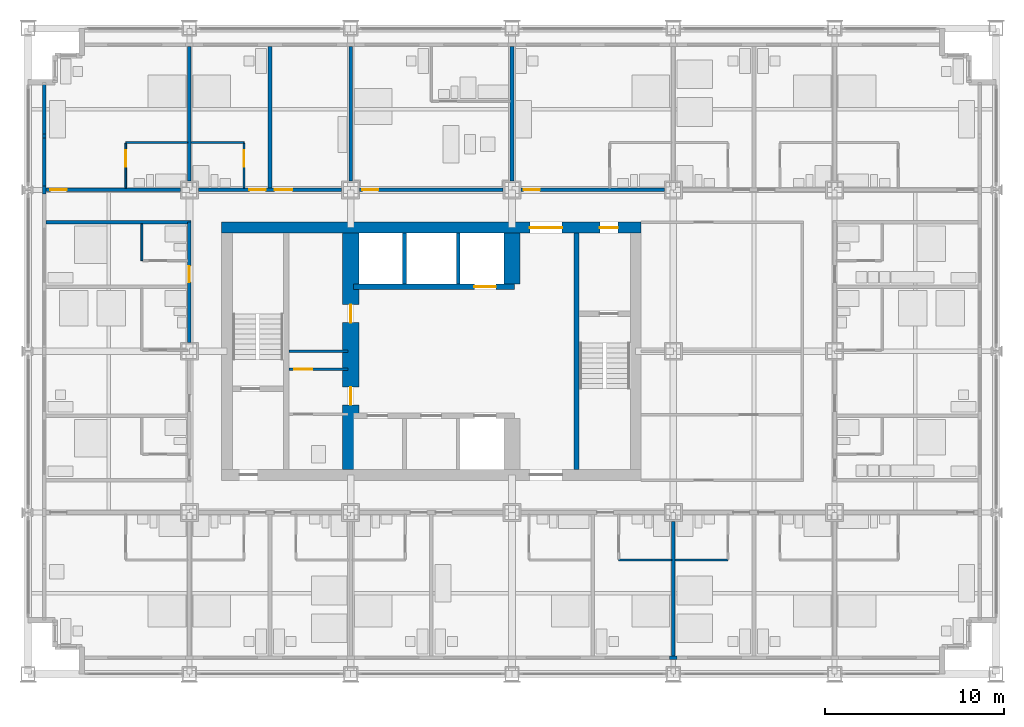
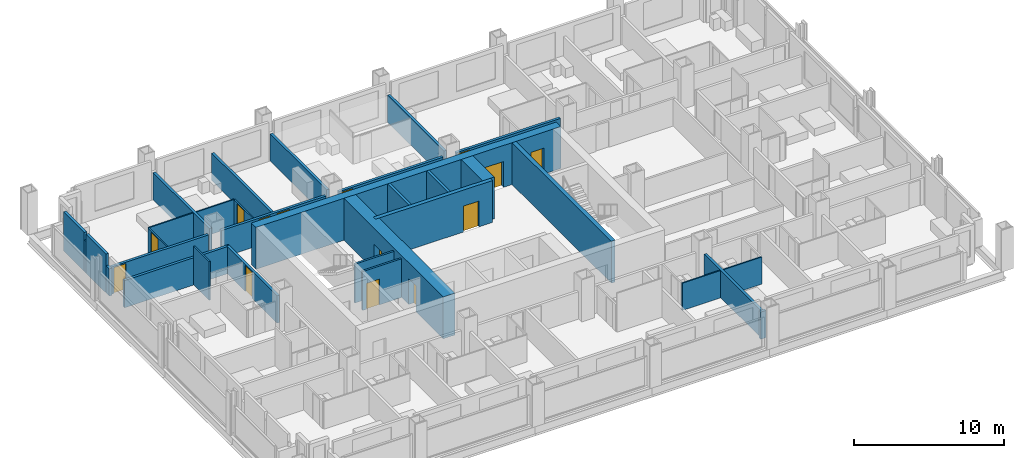
# One storey, part 12 of 19: 32 walls, 14 doors, 14 openings.
"""IFC4 building model written with IfcOpenShell, lengths in metres."""

from ifc_helpers import new_model, si_unit, direction, frame, frame_2d, origin, place, context, subcontext, project, spatial, rectangle, extrude, material, layer, layer_set, type_object, element, fill, save


model = new_model("IFC4")

# Units and contexts
model_context = context("Model", 3, precision=1e-05, world=origin(), true_north=direction((0.0, 1.0)))
body_context = subcontext(model_context, "Body", "Model", "MODEL_VIEW")
ifc_project = project(units=[si_unit("LENGTHUNIT", "METRE"), si_unit("AREAUNIT", "SQUARE_METRE"), si_unit("VOLUMEUNIT", "CUBIC_METRE"), si_unit("PLANEANGLEUNIT", "RADIAN"), si_unit("MASSUNIT", "GRAM", prefix="KILO")], contexts=[model_context])

# Site, building, storey
site_placement = place(None, origin())
site = spatial("IfcSite", under=ifc_project, at=site_placement, CompositionType="ELEMENT")
building_placement = place(site_placement, origin())
building = spatial("IfcBuilding", under=site, at=building_placement, Name="Loomwork Tower", CompositionType="ELEMENT")
storey_placement = place(building_placement, frame((0.0, 0.0, 85.800048828125)))
storey = spatial("IfcBuildingStorey", under=building, at=storey_placement, Name="L22", CompositionType="ELEMENT", Elevation=85.800048828125)

# Wall, opening, door
ifc_material_1 = material(Name="Concrete 14000 psi (97 MPa)", Category="concrete")
ifc_layer_1 = layer(ifc_material_1, 0.300048828125)
ifc_layer_set_1 = layer_set([ifc_layer_1], Name="Core shear wall 300")
wall_type_1 = type_object("IfcWallType", Name="Core shear wall 300", PredefinedType="SHEAR", material=ifc_layer_set_1)
wall_1_placement = place(storey_placement, frame((18.14990234375, 21.60009765625, 0.0), z_axis=(0.0, 0.0, 1.0), x_axis=(1.0, 0.0, 0.0)))
wall_1 = element("IfcWall", 1, at=wall_1_placement, inside=storey, type_object=wall_type_1, Name="Lift front wall north L22", PredefinedType="SHEAR", context=body_context, shape_type="SweptSolid", body=[
    extrude(rectangle(XDim=9.0, YDim=0.300048828125, at=frame_2d((4.5, 0.0))), origin(), (0.0, 0.0, 1.0), 3.39990234375),
])
opening_1_placement = place(wall_1_placement, frame((6.75, 0.0, 0.0)))
opening_1 = element("IfcOpeningElement", 2, at=opening_1_placement, cuts=wall_1, Name="Opening LD2", PredefinedType="OPENING", context=body_context, shape_type="SweptSolid", body=[
    extrude(rectangle(XDim=1.199951171875, YDim=2.10009765625, at=frame_2d((0.60009765625, 1.050048828125))), frame((0.0, 0.159912109375, 0.0), z_axis=(0.0, -1.0, 0.0), x_axis=(1.0, 0.0, 0.0)), (0.0, 0.0, 1.0), 0.320068359375),
])
ifc_material_2 = material(Name="Hollow metal door and frame")
door_type_1 = type_object("IfcDoorType", Name="Lift landing door 1200", OperationType="SLIDING_TO_LEFT", PredefinedType="DOOR", material=ifc_material_2)
door_1_placement = place(opening_1_placement, origin())
door_1 = element("IfcDoor", 3, at=door_1_placement, inside=storey, type_object=door_type_1, Name="Lift landing door LF2", OperationType="SLIDING_TO_LEFT", OverallHeight=2.10009765625, OverallWidth=1.199951171875, PredefinedType="DOOR", context=body_context, shape_type="SweptSolid", body=[
    extrude(rectangle(XDim=1.199951171875, YDim=2.10009765625, at=frame_2d((0.60009765625, 1.050048828125))), frame((0.0, 0.02490234375, 0.0), z_axis=(0.0, -1.0, 0.0), x_axis=(1.0, 0.0, 0.0)), (0.0, 0.0, 1.0), 0.050048828125),
])
fill(opening_1, door_1)

# Wall
wall_2_placement = place(storey_placement, frame((30.60009765625, 11.39990234375, 0.0), z_axis=(0.0, 0.0, 1.0), x_axis=(0.0, 1.0, 0.0)))
element("IfcWall", 4, at=wall_2_placement, inside=storey, type_object=wall_type_1, Name="Stair B west wall L22", PredefinedType="SHEAR", context=body_context, shape_type="SweptSolid", body=[
    extrude(rectangle(XDim=13.2001953125, YDim=0.300048828125, at=frame_2d((6.60009765625, 0.0))), origin(), (0.0, 0.0, 1.0), 3.39990234375),
])

# Wall, openings, doors
ifc_material_3 = material(Name="Concrete 14000 psi (97 MPa)", Category="concrete")
ifc_layer_2 = layer(ifc_material_3, 0.60009765625)
ifc_layer_set_2 = layer_set([ifc_layer_2], Name="Core shear wall 600")
wall_type_2 = type_object("IfcWallType", Name="Core shear wall 600", PredefinedType="SHEAR", material=ifc_layer_set_2)
wall_3_placement = place(storey_placement, frame((10.800048828125, 24.89990234375, 0.0), z_axis=(0.0, 0.0, 1.0), x_axis=(1.0, 0.0, 0.0)))
wall_3 = element("IfcWall", 5, at=wall_3_placement, inside=storey, type_object=wall_type_2, Name="Core wall north L22", PredefinedType="SHEAR", context=body_context, shape_type="SweptSolid", body=[
    extrude(rectangle(XDim=23.39990234375, YDim=0.60009765625, at=frame_2d((11.699951171875, 0.0))), origin(), (0.0, 0.0, 1.0), 3.39990234375),
])
opening_2_placement = place(wall_3_placement, frame((17.199951171875, 0.0, 0.0)))
opening_2 = element("IfcOpeningElement", 6, at=opening_2_placement, cuts=wall_3, Name="Opening D6", PredefinedType="OPENING", context=body_context, shape_type="SweptSolid", body=[
    extrude(rectangle(XDim=1.800048828125, YDim=2.10009765625, at=frame_2d((0.89990234375, 1.050048828125))), frame((0.0, 0.31005859375, 0.0), z_axis=(0.0, -1.0, 0.0), x_axis=(1.0, 0.0, 0.0)), (0.0, 0.0, 1.0), 0.6201171875),
])
opening_3_placement = place(wall_3_placement, frame((21.10009765625, 0.0, 0.0)))
opening_3 = element("IfcOpeningElement", 7, at=opening_3_placement, cuts=wall_3, Name="Opening D4", PredefinedType="OPENING", context=body_context, shape_type="SweptSolid", body=[
    extrude(rectangle(XDim=1.0, YDim=2.10009765625, at=frame_2d((0.5, 1.050048828125))), frame((0.0, 0.31005859375, 0.0), z_axis=(0.0, -1.0, 0.0), x_axis=(1.0, 0.0, 0.0)), (0.0, 0.0, 1.0), 0.6201171875),
])
ifc_material_4 = material(Name="Hollow metal door and frame")
door_type_2 = type_object("IfcDoorType", Name="Lobby passage double door 1800", OperationType="DOUBLE_DOOR_SINGLE_SWING", PredefinedType="DOOR", material=ifc_material_4)
door_2_placement = place(opening_2_placement, frame((1.800048828125, 0.0, 0.0), z_axis=(0.0, 0.0, 1.0), x_axis=(-1.0, 0.0, 0.0)))
door_2 = element("IfcDoor", 8, at=door_2_placement, inside=storey, type_object=door_type_2, Name="Lobby passage door north", OperationType="DOUBLE_DOOR_SINGLE_SWING", OverallHeight=2.10009765625, OverallWidth=1.800048828125, PredefinedType="DOOR", context=body_context, shape_type="SweptSolid", body=[
    extrude(rectangle(XDim=1.800048828125, YDim=2.10009765625, at=frame_2d((0.89990234375, 1.050048828125))), frame((0.0, 0.02490234375, 0.0), z_axis=(0.0, -1.0, 0.0), x_axis=(1.0, 0.0, 0.0)), (0.0, 0.0, 1.0), 0.050048828125),
])
fill(opening_2, door_2)
ifc_material_5 = material(Name="Hollow metal door and frame")
door_type_3 = type_object("IfcDoorType", Name="Stair door 1000", OperationType="SINGLE_SWING_RIGHT", PredefinedType="DOOR", material=ifc_material_5)
door_3_placement = place(opening_3_placement, frame((1.0, 0.0, 0.0), z_axis=(0.0, 0.0, 1.0), x_axis=(-1.0, 0.0, 0.0)))
door_3 = element("IfcDoor", 9, at=door_3_placement, inside=storey, type_object=door_type_3, Name="Stair B vestibule door", OperationType="SINGLE_SWING_LEFT", OverallHeight=2.10009765625, OverallWidth=1.0, PredefinedType="DOOR", context=body_context, shape_type="SweptSolid", body=[
    extrude(rectangle(XDim=1.0, YDim=2.10009765625, at=frame_2d((0.5, 1.050048828125))), frame((0.0, 0.02490234375, 0.0), z_axis=(0.0, -1.0, 0.0), x_axis=(1.0, 0.0, 0.0)), (0.0, 0.0, 1.0), 0.050048828125),
])
fill(opening_3, door_3)

ifc_material_6 = material(Name="Concrete 14000 psi (97 MPa)", Category="concrete")
ifc_layer_3 = layer(ifc_material_6, 0.89990234375)
ifc_layer_set_3 = layer_set([ifc_layer_3], Name="Core shear wall 900")
wall_type_3 = type_object("IfcWallType", Name="Core shear wall 900", PredefinedType="SHEAR", material=ifc_layer_set_3)
wall_4_placement = place(storey_placement, frame((18.0, 11.39990234375, 0.0), z_axis=(0.0, 0.0, 1.0), x_axis=(0.0, 1.0, 0.0)))
wall_4 = element("IfcWall", 10, at=wall_4_placement, inside=storey, type_object=wall_type_3, Name="Lobby west wall L22", PredefinedType="SHEAR", context=body_context, shape_type="SweptSolid", body=[
    extrude(rectangle(XDim=13.2001953125, YDim=0.89990234375, at=frame_2d((6.60009765625, 0.0))), origin(), (0.0, 0.0, 1.0), 3.39990234375),
])
opening_4_placement = place(wall_4_placement, frame((3.60009765625, 0.0, 0.0)))
opening_4 = element("IfcOpeningElement", 11, at=opening_4_placement, cuts=wall_4, Name="Opening D5", PredefinedType="OPENING", context=body_context, shape_type="SweptSolid", body=[
    extrude(rectangle(XDim=1.0, YDim=2.10009765625, at=frame_2d((0.5, 1.050048828125))), frame((0.0, 0.4599609375, 0.0), z_axis=(0.0, -1.0, 0.0), x_axis=(1.0, 0.0, 0.0)), (0.0, 0.0, 1.0), 0.919921875),
])
opening_5_placement = place(wall_4_placement, frame((8.199951171875, 0.0, 0.0)))
opening_5 = element("IfcOpeningElement", 12, at=opening_5_placement, cuts=wall_4, Name="Opening D5", PredefinedType="OPENING", context=body_context, shape_type="SweptSolid", body=[
    extrude(rectangle(XDim=1.0, YDim=2.10009765625, at=frame_2d((0.5, 1.050048828125))), frame((0.0, 0.4599609375, 0.0), z_axis=(0.0, -1.0, 0.0), x_axis=(1.0, 0.0, 0.0)), (0.0, 0.0, 1.0), 0.919921875),
])
ifc_material_7 = material(Name="Hollow metal door and frame")
door_type_4 = type_object("IfcDoorType", Name="Service door 1000", OperationType="SINGLE_SWING_LEFT", PredefinedType="DOOR", material=ifc_material_7)
door_4_placement = place(opening_4_placement, origin())
door_4 = element("IfcDoor", 13, at=door_4_placement, inside=storey, type_object=door_type_4, Name="Back-of-house door south", OperationType="SINGLE_SWING_LEFT", OverallHeight=2.10009765625, OverallWidth=1.0, PredefinedType="DOOR", context=body_context, shape_type="SweptSolid", body=[
    extrude(rectangle(XDim=1.0, YDim=2.10009765625, at=frame_2d((0.5, 1.050048828125))), frame((0.0, 0.02490234375, 0.0), z_axis=(0.0, -1.0, 0.0), x_axis=(1.0, 0.0, 0.0)), (0.0, 0.0, 1.0), 0.050048828125),
])
fill(opening_4, door_4)
door_5_placement = place(opening_5_placement, origin())
door_5 = element("IfcDoor", 14, at=door_5_placement, inside=storey, type_object=door_type_4, Name="Back-of-house door north", OperationType="SINGLE_SWING_RIGHT", OverallHeight=2.10009765625, OverallWidth=1.0, PredefinedType="DOOR", context=body_context, shape_type="SweptSolid", body=[
    extrude(rectangle(XDim=1.0, YDim=2.10009765625, at=frame_2d((0.5, 1.050048828125))), frame((0.0, 0.02490234375, 0.0), z_axis=(0.0, -1.0, 0.0), x_axis=(1.0, 0.0, 0.0)), (0.0, 0.0, 1.0), 0.050048828125),
])
fill(opening_5, door_5)

# Wall
wall_5_placement = place(storey_placement, frame((27.0, 21.75, 0.0), z_axis=(0.0, 0.0, 1.0), x_axis=(0.0, 1.0, 0.0)))
element("IfcWall", 15, at=wall_5_placement, inside=storey, type_object=wall_type_3, Name="Lift shaft end wall north L22", PredefinedType="SHEAR", context=body_context, shape_type="SweptSolid", body=[
    extrude(rectangle(XDim=2.85009765625, YDim=0.89990234375, at=frame_2d((1.425048828125, 0.0))), origin(), (0.0, 0.0, 1.0), 3.39990234375),
])

# Wall, opening, door
ifc_material_8 = material(Name="Gypsum board on steel studs, one-hour", Category="steel")
ifc_layer_4 = layer(ifc_material_8, 0.199951171875)
ifc_layer_set_4 = layer_set([ifc_layer_4], Name="Corridor wall 200")
wall_type_4 = type_object("IfcWallType", Name="Corridor wall 200", PredefinedType="PARTITIONING", material=ifc_layer_set_4)
wall_6_placement = place(storey_placement, frame((1.0, 27.0, 0.0), z_axis=(0.0, 0.0, 1.0), x_axis=(1.0, 0.0, 0.0)))
wall_6 = element("IfcWall", 16, at=wall_6_placement, inside=storey, type_object=wall_type_4, Name="North corridor wall 1", PredefinedType="PARTITIONING", context=body_context, shape_type="SweptSolid", body=[
    extrude(rectangle(XDim=7.5, YDim=0.199951171875, at=frame_2d((3.75, 0.0))), origin(), (0.0, 0.0, 1.0), 2.210205078125),
])
opening_6_placement = place(wall_6_placement, frame((0.25, 0.0, 0.0)))
opening_6 = element("IfcOpeningElement", 17, at=opening_6_placement, cuts=wall_6, Name="Opening D1", PredefinedType="OPENING", context=body_context, shape_type="SweptSolid", body=[
    extrude(rectangle(XDim=0.89990234375, YDim=2.10009765625, at=frame_2d((0.449951171875, 1.050048828125))), frame((0.0, 0.10986328125, 0.0), z_axis=(0.0, -1.0, 0.0), x_axis=(1.0, 0.0, 0.0)), (0.0, 0.0, 1.0), 0.219970703125),
])
ifc_material_9 = material(Name="Hollow metal door and frame")
door_type_5 = type_object("IfcDoorType", Name="Guest room entry door 900", OperationType="SINGLE_SWING_LEFT", PredefinedType="DOOR", material=ifc_material_9)
door_6_placement = place(opening_6_placement, origin())
door_6 = element("IfcDoor", 18, at=door_6_placement, inside=storey, type_object=door_type_5, Name="Guest room entry door L22 10", OperationType="SINGLE_SWING_LEFT", OverallHeight=2.10009765625, OverallWidth=0.89990234375, PredefinedType="DOOR", context=body_context, shape_type="SweptSolid", body=[
    extrude(rectangle(XDim=0.89990234375, YDim=2.10009765625, at=frame_2d((0.449951171875, 1.050048828125))), frame((0.0, 0.02490234375, 0.0), z_axis=(0.0, -1.0, 0.0), x_axis=(1.0, 0.0, 0.0)), (0.0, 0.0, 1.0), 0.050048828125),
])
fill(opening_6, door_6)

# Wall, openings, doors
wall_7_placement = place(storey_placement, frame((9.5, 27.0, 0.0), z_axis=(0.0, 0.0, 1.0), x_axis=(1.0, 0.0, 0.0)))
wall_7 = element("IfcWall", 19, at=wall_7_placement, inside=storey, type_object=wall_type_4, Name="North corridor wall 2", PredefinedType="PARTITIONING", context=body_context, shape_type="SweptSolid", body=[
    extrude(rectangle(XDim=8.0, YDim=0.199951171875, at=frame_2d((4.0, 0.0))), origin(), (0.0, 0.0, 1.0), 2.210205078125),
])
opening_7_placement = place(wall_7_placement, frame((2.85009765625, 0.0, 0.0)))
opening_7 = element("IfcOpeningElement", 20, at=opening_7_placement, cuts=wall_7, Name="Opening D1", PredefinedType="OPENING", context=body_context, shape_type="SweptSolid", body=[
    extrude(rectangle(XDim=0.89990234375, YDim=2.10009765625, at=frame_2d((0.449951171875, 1.050048828125))), frame((0.0, 0.10986328125, 0.0), z_axis=(0.0, -1.0, 0.0), x_axis=(1.0, 0.0, 0.0)), (0.0, 0.0, 1.0), 0.219970703125),
])
opening_8_placement = place(wall_7_placement, frame((4.25, 0.0, 0.0)))
opening_8 = element("IfcOpeningElement", 21, at=opening_8_placement, cuts=wall_7, Name="Opening D15", PredefinedType="OPENING", context=body_context, shape_type="SweptSolid", body=[
    extrude(rectangle(XDim=1.0, YDim=2.10009765625, at=frame_2d((0.5, 1.050048828125))), frame((0.0, 0.10986328125, 0.0), z_axis=(0.0, -1.0, 0.0), x_axis=(1.0, 0.0, 0.0)), (0.0, 0.0, 1.0), 0.219970703125),
])
ifc_material_10 = material(Name="Hollow metal door and frame")
door_type_6 = type_object("IfcDoorType", Name="Fire-rated room door 1000", OperationType="SINGLE_SWING_LEFT", PredefinedType="DOOR", material=ifc_material_10)
door_7_placement = place(opening_8_placement, origin())
door_7 = element("IfcDoor", 22, at=door_7_placement, inside=storey, type_object=door_type_6, Name="Housekeeping pantry door L22 12", OperationType="SINGLE_SWING_LEFT", OverallHeight=2.10009765625, OverallWidth=1.0, PredefinedType="DOOR", context=body_context, shape_type="SweptSolid", body=[
    extrude(rectangle(XDim=1.0, YDim=2.10009765625, at=frame_2d((0.5, 1.050048828125))), frame((0.0, 0.02490234375, 0.0), z_axis=(0.0, -1.0, 0.0), x_axis=(1.0, 0.0, 0.0)), (0.0, 0.0, 1.0), 0.050048828125),
])
fill(opening_8, door_7)
door_8_placement = place(opening_7_placement, origin())
door_8 = element("IfcDoor", 23, at=door_8_placement, inside=storey, type_object=door_type_5, Name="Guest room entry door L22 11", OperationType="SINGLE_SWING_RIGHT", OverallHeight=2.10009765625, OverallWidth=0.89990234375, PredefinedType="DOOR", context=body_context, shape_type="SweptSolid", body=[
    extrude(rectangle(XDim=0.89990234375, YDim=2.10009765625, at=frame_2d((0.449951171875, 1.050048828125))), frame((0.0, 0.02490234375, 0.0), z_axis=(0.0, -1.0, 0.0), x_axis=(1.0, 0.0, 0.0)), (0.0, 0.0, 1.0), 0.050048828125),
])
fill(opening_7, door_8)

# Wall, opening, door
wall_8_placement = place(storey_placement, frame((18.5, 27.0, 0.0), z_axis=(0.0, 0.0, 1.0), x_axis=(1.0, 0.0, 0.0)))
wall_8 = element("IfcWall", 24, at=wall_8_placement, inside=storey, type_object=wall_type_4, Name="North corridor wall 3", PredefinedType="PARTITIONING", context=body_context, shape_type="SweptSolid", body=[
    extrude(rectangle(XDim=8.0, YDim=0.199951171875, at=frame_2d((4.0, 0.0))), origin(), (0.0, 0.0, 1.0), 2.210205078125),
])
opening_9_placement = place(wall_8_placement, frame((0.14990234375, 0.0, 0.0)))
opening_9 = element("IfcOpeningElement", 25, at=opening_9_placement, cuts=wall_8, Name="Opening D1", PredefinedType="OPENING", context=body_context, shape_type="SweptSolid", body=[
    extrude(rectangle(XDim=0.89990234375, YDim=2.10009765625, at=frame_2d((0.449951171875, 1.050048828125))), frame((0.0, 0.10986328125, 0.0), z_axis=(0.0, -1.0, 0.0), x_axis=(1.0, 0.0, 0.0)), (0.0, 0.0, 1.0), 0.219970703125),
])
door_9_placement = place(opening_9_placement, origin())
door_9 = element("IfcDoor", 26, at=door_9_placement, inside=storey, type_object=door_type_5, Name="Guest room entry door L22 13", OperationType="SINGLE_SWING_LEFT", OverallHeight=2.10009765625, OverallWidth=0.89990234375, PredefinedType="DOOR", context=body_context, shape_type="SweptSolid", body=[
    extrude(rectangle(XDim=0.89990234375, YDim=2.10009765625, at=frame_2d((0.449951171875, 1.050048828125))), frame((0.0, 0.02490234375, 0.0), z_axis=(0.0, -1.0, 0.0), x_axis=(1.0, 0.0, 0.0)), (0.0, 0.0, 1.0), 0.050048828125),
])
fill(opening_9, door_9)

wall_9_placement = place(storey_placement, frame((27.5, 27.0, 0.0), z_axis=(0.0, 0.0, 1.0), x_axis=(1.0, 0.0, 0.0)))
wall_9 = element("IfcWall", 27, at=wall_9_placement, inside=storey, type_object=wall_type_4, Name="North corridor wall 4", PredefinedType="PARTITIONING", context=body_context, shape_type="SweptSolid", body=[
    extrude(rectangle(XDim=8.0, YDim=0.199951171875, at=frame_2d((4.0, 0.0))), origin(), (0.0, 0.0, 1.0), 2.210205078125),
])
opening_10_placement = place(wall_9_placement, frame((0.14990234375, 0.0, 0.0)))
opening_10 = element("IfcOpeningElement", 28, at=opening_10_placement, cuts=wall_9, Name="Opening D1", PredefinedType="OPENING", context=body_context, shape_type="SweptSolid", body=[
    extrude(rectangle(XDim=0.89990234375, YDim=2.10009765625, at=frame_2d((0.449951171875, 1.050048828125))), frame((0.0, 0.10986328125, 0.0), z_axis=(0.0, -1.0, 0.0), x_axis=(1.0, 0.0, 0.0)), (0.0, 0.0, 1.0), 0.219970703125),
])
door_10_placement = place(opening_10_placement, origin())
door_10 = element("IfcDoor", 29, at=door_10_placement, inside=storey, type_object=door_type_5, Name="Guest room entry door L22 14", OperationType="SINGLE_SWING_LEFT", OverallHeight=2.10009765625, OverallWidth=0.89990234375, PredefinedType="DOOR", context=body_context, shape_type="SweptSolid", body=[
    extrude(rectangle(XDim=0.89990234375, YDim=2.10009765625, at=frame_2d((0.449951171875, 1.050048828125))), frame((0.0, 0.02490234375, 0.0), z_axis=(0.0, -1.0, 0.0), x_axis=(1.0, 0.0, 0.0)), (0.0, 0.0, 1.0), 0.050048828125),
])
fill(opening_10, door_10)

wall_10_placement = place(storey_placement, frame((9.0, 18.5, 0.0), z_axis=(0.0, 0.0, 1.0), x_axis=(0.0, 1.0, 0.0)))
wall_10 = element("IfcWall", 30, at=wall_10_placement, inside=storey, type_object=wall_type_4, Name="West corridor wall 2", PredefinedType="PARTITIONING", context=body_context, shape_type="SweptSolid", body=[
    extrude(rectangle(XDim=6.699951171875, YDim=0.199951171875, at=frame_2d((3.35009765625, 0.0))), origin(), (0.0, 0.0, 1.0), 2.210205078125),
])
opening_11_placement = place(wall_10_placement, frame((3.35009765625, 0.0, 0.0)))
opening_11 = element("IfcOpeningElement", 31, at=opening_11_placement, cuts=wall_10, Name="Opening D1", PredefinedType="OPENING", context=body_context, shape_type="SweptSolid", body=[
    extrude(rectangle(XDim=0.89990234375, YDim=2.10009765625, at=frame_2d((0.449951171875, 1.050048828125))), frame((0.0, 0.10986328125, 0.0), z_axis=(0.0, -1.0, 0.0), x_axis=(1.0, 0.0, 0.0)), (0.0, 0.0, 1.0), 0.219970703125),
])
door_11_placement = place(opening_11_placement, origin())
door_11 = element("IfcDoor", 32, at=door_11_placement, inside=storey, type_object=door_type_5, Name="Guest room entry door L22 20", OperationType="SINGLE_SWING_LEFT", OverallHeight=2.10009765625, OverallWidth=0.89990234375, PredefinedType="DOOR", context=body_context, shape_type="SweptSolid", body=[
    extrude(rectangle(XDim=0.89990234375, YDim=2.10009765625, at=frame_2d((0.449951171875, 1.050048828125))), frame((0.0, 0.02490234375, 0.0), z_axis=(0.0, -1.0, 0.0), x_axis=(1.0, 0.0, 0.0)), (0.0, 0.0, 1.0), 0.050048828125),
])
fill(opening_11, door_11)

# Walls
wall_11_placement = place(storey_placement, frame((1.0, 25.199951171875, 0.0), z_axis=(0.0, 0.0, 1.0), x_axis=(1.0, 0.0, 0.0)))
element("IfcWall", 33, at=wall_11_placement, inside=storey, type_object=wall_type_4, Name="West band end wall N", PredefinedType="PARTITIONING", context=body_context, shape_type="SweptSolid", body=[
    extrude(rectangle(XDim=8.10009765625, YDim=0.199951171875, at=frame_2d((4.050048828125, 0.0))), origin(), (0.0, 0.0, 1.0), 2.2099609375),
])
ifc_material_11 = material(Name="Cement board on steel studs", Category="steel")
ifc_layer_5 = layer(ifc_material_11, 0.10009765625)
ifc_layer_set_5 = layer_set([ifc_layer_5], Name="En-suite partition 100")
wall_type_5 = type_object("IfcWallType", Name="En-suite partition 100", PredefinedType="PARTITIONING", material=ifc_layer_set_5)
for number, where, z_axis, x_axis, name in (
    (34, (32.949951171875, 6.35009765625, 0.0), (0.0, 0.0, 1.0), (1.0, 0.0, 0.0), "En-suite wall L22 room 6"),
    (35, (36.10009765625, 6.35009765625, 0.0), (0.0, 0.0, 1.0), (1.0, 0.0, 0.0), "En-suite wall L22 room 7"),
):
    element("IfcWall", number, at=place(storey_placement, frame(where, z_axis=z_axis, x_axis=x_axis)), inside=storey, type_object=wall_type_5, Name=name, PredefinedType="PARTITIONING", context=body_context, shape_type="SweptSolid", body=[
        extrude(rectangle(XDim=2.949951171875, YDim=0.10009765625, at=frame_2d((1.47509765625, 0.0))), origin(), (0.0, 0.0, 1.0), 2.2099609375),
    ])
wall_12_placement = place(storey_placement, frame((5.449951171875, 29.64990234375, 0.0), z_axis=(0.0, 0.0, 1.0), x_axis=(1.0, 0.0, 0.0)))
element("IfcWall", 36, at=wall_12_placement, inside=storey, type_object=wall_type_5, Name="En-suite wall L22 room 10", PredefinedType="PARTITIONING", context=body_context, shape_type="SweptSolid", body=[
    extrude(rectangle(XDim=3.449951171875, YDim=0.10009765625, at=frame_2d((1.72509765625, 0.0))), origin(), (0.0, 0.0, 1.0), 2.2099609375),
])

# Wall, opening, door
wall_13_placement = place(storey_placement, frame((5.449951171875, 27.10009765625, 0.0), z_axis=(0.0, 0.0, 1.0), x_axis=(0.0, 1.0, 0.0)))
wall_13 = element("IfcWall", 37, at=wall_13_placement, inside=storey, type_object=wall_type_5, Name="En-suite side wall L22 room 10", PredefinedType="PARTITIONING", context=body_context, shape_type="SweptSolid", body=[
    extrude(rectangle(XDim=2.5, YDim=0.10009765625, at=frame_2d((1.25, 0.0))), origin(), (0.0, 0.0, 1.0), 2.2099609375),
])
opening_12_placement = place(wall_13_placement, frame((1.199951171875, 0.0, 0.0)))
opening_12 = element("IfcOpeningElement", 38, at=opening_12_placement, cuts=wall_13, Name="Opening D2", PredefinedType="OPENING", context=body_context, shape_type="SweptSolid", body=[
    extrude(rectangle(XDim=0.89990234375, YDim=2.10009765625, at=frame_2d((0.449951171875, 1.050048828125))), frame((0.0, 0.06005859375, 0.0), z_axis=(0.0, -1.0, 0.0), x_axis=(1.0, 0.0, 0.0)), (0.0, 0.0, 1.0), 0.1201171875),
])
ifc_material_12 = material(Name="Hollow metal door and frame")
door_type_7 = type_object("IfcDoorType", Name="En-suite door 900", OperationType="SINGLE_SWING_LEFT", PredefinedType="DOOR", material=ifc_material_12)
door_12_placement = place(opening_12_placement, frame((0.89990234375, 0.0, 0.0), z_axis=(0.0, 0.0, 1.0), x_axis=(-1.0, 0.0, 0.0)))
door_12 = element("IfcDoor", 39, at=door_12_placement, inside=storey, type_object=door_type_7, Name="En-suite door room 10", OperationType="SINGLE_SWING_LEFT", OverallHeight=2.10009765625, OverallWidth=0.89990234375, PredefinedType="DOOR", context=body_context, shape_type="SweptSolid", body=[
    extrude(rectangle(XDim=0.89990234375, YDim=2.10009765625, at=frame_2d((0.449951171875, 1.050048828125))), frame((0.0, 0.02490234375, 0.0), z_axis=(0.0, -1.0, 0.0), x_axis=(1.0, 0.0, 0.0)), (0.0, 0.0, 1.0), 0.050048828125),
])
fill(opening_12, door_12)

# Wall
wall_14_placement = place(storey_placement, frame((9.10009765625, 29.64990234375, 0.0), z_axis=(0.0, 0.0, 1.0), x_axis=(1.0, 0.0, 0.0)))
element("IfcWall", 40, at=wall_14_placement, inside=storey, type_object=wall_type_5, Name="En-suite wall L22 room 11", PredefinedType="PARTITIONING", context=body_context, shape_type="SweptSolid", body=[
    extrude(rectangle(XDim=2.949951171875, YDim=0.10009765625, at=frame_2d((1.47509765625, 0.0))), origin(), (0.0, 0.0, 1.0), 2.2099609375),
])

# Wall, opening, door
wall_15_placement = place(storey_placement, frame((12.050048828125, 27.10009765625, 0.0), z_axis=(0.0, 0.0, 1.0), x_axis=(0.0, 1.0, 0.0)))
wall_15 = element("IfcWall", 41, at=wall_15_placement, inside=storey, type_object=wall_type_5, Name="En-suite side wall L22 room 11", PredefinedType="PARTITIONING", context=body_context, shape_type="SweptSolid", body=[
    extrude(rectangle(XDim=2.5, YDim=0.10009765625, at=frame_2d((1.25, 0.0))), origin(), (0.0, 0.0, 1.0), 2.2099609375),
])
opening_13_placement = place(wall_15_placement, frame((1.199951171875, 0.0, 0.0)))
opening_13 = element("IfcOpeningElement", 42, at=opening_13_placement, cuts=wall_15, Name="Opening D2", PredefinedType="OPENING", context=body_context, shape_type="SweptSolid", body=[
    extrude(rectangle(XDim=0.89990234375, YDim=2.10009765625, at=frame_2d((0.449951171875, 1.050048828125))), frame((0.0, 0.06005859375, 0.0), z_axis=(0.0, -1.0, 0.0), x_axis=(1.0, 0.0, 0.0)), (0.0, 0.0, 1.0), 0.1201171875),
])
door_13_placement = place(opening_13_placement, origin())
door_13 = element("IfcDoor", 43, at=door_13_placement, inside=storey, type_object=door_type_7, Name="En-suite door room 11", OperationType="SINGLE_SWING_RIGHT", OverallHeight=2.10009765625, OverallWidth=0.89990234375, PredefinedType="DOOR", context=body_context, shape_type="SweptSolid", body=[
    extrude(rectangle(XDim=0.89990234375, YDim=2.10009765625, at=frame_2d((0.449951171875, 1.050048828125))), frame((0.0, 0.02490234375, 0.0), z_axis=(0.0, -1.0, 0.0), x_axis=(1.0, 0.0, 0.0)), (0.0, 0.0, 1.0), 0.050048828125),
])
fill(opening_13, door_13)

# Walls
wall_16_placement = place(storey_placement, frame((6.35009765625, 23.050048828125, 0.0), z_axis=(0.0, 0.0, 1.0), x_axis=(0.0, 1.0, 0.0)))
element("IfcWall", 44, at=wall_16_placement, inside=storey, type_object=wall_type_5, Name="En-suite wall L22 room 20", PredefinedType="PARTITIONING", context=body_context, shape_type="SweptSolid", body=[
    extrude(rectangle(XDim=2.050048828125, YDim=0.10009765625, at=frame_2d((1.02490234375, 0.0))), origin(), (0.0, 0.0, 1.0), 3.14990234375),
])
ifc_material_13 = material(Name="Gypsum board on steel studs, acoustic", Category="steel")
ifc_layer_6 = layer(ifc_material_13, 0.199951171875)
ifc_layer_set_6 = layer_set([ifc_layer_6], Name="Guest room party wall 200")
wall_type_6 = type_object("IfcWallType", Name="Guest room party wall 200", PredefinedType="PARTITIONING", material=ifc_layer_set_6)
for number, where, z_axis, x_axis, name in (
    (45, (36.0, 8.5, 0.0), (0.0, 0.0, 1.0), (0.0, -1.0, 0.0), "Guest room party wall S 36"),
    (46, (9.0, 27.5, 0.0), (0.0, 0.0, 1.0), (0.0, 1.0, 0.0), "Guest room party wall N 9"),
):
    element("IfcWall", number, at=place(storey_placement, frame(where, z_axis=z_axis, x_axis=x_axis)), inside=storey, type_object=wall_type_6, Name=name, PredefinedType="PARTITIONING", context=body_context, shape_type="SweptSolid", body=[
        extrude(rectangle(XDim=7.5, YDim=0.199951171875, at=frame_2d((3.75, 0.0))), origin(), (0.0, 0.0, 1.0), 2.210205078125),
    ])
wall_17_placement = place(storey_placement, frame((13.5, 27.10009765625, 0.0), z_axis=(0.0, 0.0, 1.0), x_axis=(0.0, 1.0, 0.0)))
element("IfcWall", 47, at=wall_17_placement, inside=storey, type_object=wall_type_6, Name="Guest room party wall N 13.5", PredefinedType="PARTITIONING", context=body_context, shape_type="SweptSolid", body=[
    extrude(rectangle(XDim=7.89990234375, YDim=0.199951171875, at=frame_2d((3.949951171875, 0.0))), origin(), (0.0, 0.0, 1.0), 2.2099609375),
])
for number, where, z_axis, x_axis, name in (
    (48, (18.0, 27.5, 0.0), (0.0, 0.0, 1.0), (0.0, 1.0, 0.0), "Guest room party wall N 18"),
    (49, (27.0, 27.5, 0.0), (0.0, 0.0, 1.0), (0.0, 1.0, 0.0), "Guest room party wall N 27"),
):
    element("IfcWall", number, at=place(storey_placement, frame(where, z_axis=z_axis, x_axis=x_axis)), inside=storey, type_object=wall_type_6, Name=name, PredefinedType="PARTITIONING", context=body_context, shape_type="SweptSolid", body=[
        extrude(rectangle(XDim=7.5, YDim=0.199951171875, at=frame_2d((3.75, 0.0))), origin(), (0.0, 0.0, 1.0), 2.20263671875),
    ])
ifc_material_14 = material(Name="Insulated steel stud wall with gypsum lining", Category="steel")
ifc_layer_7 = layer(ifc_material_14, 0.199951171875)
ifc_layer_set_7 = layer_set([ifc_layer_7], Name="Inner skin wall 200")
wall_type_7 = type_object("IfcWallType", Name="Inner skin wall 200", PredefinedType="SOLIDWALL", material=ifc_layer_set_7)
for number, where, z_axis, x_axis, name in (
    (50, (35.78466796875, 0.89990234375, 0.0), (0.0, 0.0, 1.0), (1.0, 0.0, 0.0), "Inner skin wall S bay 8"),
    (51, (0.89990234375, 26.78466796875, 0.0), (0.0, 0.0, 1.0), (0.0, 1.0, 0.0), "Inner skin wall W bay 9"),
):
    element("IfcWall", number, at=place(storey_placement, frame(where, z_axis=z_axis, x_axis=x_axis)), inside=storey, type_object=wall_type_7, Name=name, PredefinedType="SOLIDWALL", context=body_context, shape_type="SweptSolid", body=[
        extrude(rectangle(XDim=0.4306640625, YDim=0.199951171875, at=frame_2d((0.21533203125, 0.0))), origin(), (0.0, 0.0, 1.0), 2.2099609375),
    ])
wall_18_placement = place(storey_placement, frame((0.89990234375, 27.21533203125, 0.0), z_axis=(0.0, 0.0, 1.0), x_axis=(0.0, 1.0, 0.0)))
element("IfcWall", 52, at=wall_18_placement, inside=storey, type_object=wall_type_7, Name="Inner skin wall W bay 10", PredefinedType="SOLIDWALL", context=body_context, shape_type="SweptSolid", body=[
    extrude(rectangle(XDim=2.66845703125, YDim=0.199951171875, at=frame_2d((1.334228515625, 0.0))), origin(), (0.0, 0.0, 1.0), 3.14990234375),
])
wall_19_placement = place(storey_placement, frame((0.89990234375, 29.8837890625, 0.0), z_axis=(0.0, 0.0, 1.0), x_axis=(0.0, 1.0, 0.0)))
element("IfcWall", 53, at=wall_19_placement, inside=storey, type_object=wall_type_7, Name="Inner skin wall W bay 11", PredefinedType="SOLIDWALL", context=body_context, shape_type="SweptSolid", body=[
    extrude(rectangle(XDim=0.232421875, YDim=0.199951171875, at=frame_2d((0.1162109375, 0.0))), origin(), (0.0, 0.0, 1.0), 2.5419921875),
])
wall_20_placement = place(storey_placement, frame((0.89990234375, 30.1162109375, 0.0), z_axis=(0.0, 0.0, 1.0), x_axis=(0.0, 1.0, 0.0)))
element("IfcWall", 54, at=wall_20_placement, inside=storey, type_object=wall_type_7, Name="Inner skin wall W bay 12", PredefinedType="SOLIDWALL", context=body_context, shape_type="SweptSolid", body=[
    extrude(rectangle(XDim=2.767578125, YDim=0.199951171875, at=frame_2d((1.3837890625, 0.0))), origin(), (0.0, 0.0, 1.0), 3.14990234375),
])
ifc_material_15 = material(Name="Concrete 14000 psi (97 MPa)", Category="concrete")
ifc_layer_8 = layer(ifc_material_15, 0.199951171875)
ifc_layer_set_8 = layer_set([ifc_layer_8], Name="Lift shaft wall 200")
wall_type_8 = type_object("IfcWallType", Name="Lift shaft wall 200", PredefinedType="SHEAR", material=ifc_layer_set_8)
for number, where, z_axis, x_axis, name in (
    (55, (21.0, 21.75, 0.0), (0.0, 0.0, 1.0), (0.0, 1.0, 0.0), "Lift shaft separation wall north 1 L22"),
    (56, (24.0, 21.75, 0.0), (0.0, 0.0, 1.0), (0.0, 1.0, 0.0), "Lift shaft separation wall north 2 L22"),
):
    element("IfcWall", number, at=place(storey_placement, frame(where, z_axis=z_axis, x_axis=x_axis)), inside=storey, type_object=wall_type_8, Name=name, PredefinedType="SHEAR", context=body_context, shape_type="SweptSolid", body=[
        extrude(rectangle(XDim=2.85009765625, YDim=0.199951171875, at=frame_2d((1.425048828125, 0.0))), origin(), (0.0, 0.0, 1.0), 3.39990234375),
    ])
ifc_material_16 = material(Name="Gypsum board on steel studs", Category="steel")
ifc_layer_9 = layer(ifc_material_16, 0.14990234375)
ifc_layer_set_9 = layer_set([ifc_layer_9], Name="Partition 150 two-hour")
wall_type_9 = type_object("IfcWallType", Name="Partition 150 two-hour", PredefinedType="PARTITIONING", material=ifc_layer_set_9)
wall_21_placement = place(storey_placement, frame((14.550048828125, 18.0, 0.0), z_axis=(0.0, 0.0, 1.0), x_axis=(1.0, 0.0, 0.0)))
element("IfcWall", 57, at=wall_21_placement, inside=storey, type_object=wall_type_9, Name="Back-of-house dividing wall L22", PredefinedType="PARTITIONING", context=body_context, shape_type="SweptSolid", body=[
    extrude(rectangle(XDim=3.300048828125, YDim=0.14990234375, at=frame_2d((1.64990234375, 0.0))), origin(), (0.0, 0.0, 1.0), 3.14990234375),
])

# Wall, opening, door
ifc_material_17 = material(Name="Gypsum board on steel studs, one-hour", Category="steel")
ifc_layer_10 = layer(ifc_material_17, 0.14990234375)
ifc_layer_set_10 = layer_set([ifc_layer_10], Name="Service partition 150")
wall_type_10 = type_object("IfcWallType", Name="Service partition 150", PredefinedType="PARTITIONING", material=ifc_layer_set_10)
wall_22_placement = place(storey_placement, frame((14.550048828125, 17.0, 0.0), z_axis=(0.0, 0.0, 1.0), x_axis=(1.0, 0.0, 0.0)))
wall_22 = element("IfcWall", 58, at=wall_22_placement, inside=storey, type_object=wall_type_10, Name="Riser enclosure L22", PredefinedType="PARTITIONING", context=body_context, shape_type="SweptSolid", body=[
    extrude(rectangle(XDim=3.300048828125, YDim=0.14990234375, at=frame_2d((1.64990234375, 0.0))), origin(), (0.0, 0.0, 1.0), 3.14990234375),
])
opening_14_placement = place(wall_22_placement, frame((0.300048828125, 0.0, 0.0)))
opening_14 = element("IfcOpeningElement", 59, at=opening_14_placement, cuts=wall_22, Name="Opening D18", PredefinedType="OPENING", context=body_context, shape_type="SweptSolid", body=[
    extrude(rectangle(XDim=1.0, YDim=2.10009765625, at=frame_2d((0.5, 1.050048828125))), frame((0.0, 0.0849609375, 0.0), z_axis=(0.0, -1.0, 0.0), x_axis=(1.0, 0.0, 0.0)), (0.0, 0.0, 1.0), 0.169921875),
])
ifc_material_18 = material(Name="Hollow metal door and frame")
door_type_8 = type_object("IfcDoorType", Name="Ninety-minute service door 1000", OperationType="SINGLE_SWING_LEFT", PredefinedType="DOOR", material=ifc_material_18)
door_14_placement = place(opening_14_placement, frame((1.0, 0.0, 0.0), z_axis=(0.0, 0.0, 1.0), x_axis=(-1.0, 0.0, 0.0)))
door_14 = element("IfcDoor", 60, at=door_14_placement, inside=storey, type_object=door_type_8, Name="Riser access door", OperationType="SINGLE_SWING_RIGHT", OverallHeight=2.10009765625, OverallWidth=1.0, PredefinedType="DOOR", context=body_context, shape_type="SweptSolid", body=[
    extrude(rectangle(XDim=1.0, YDim=2.10009765625, at=frame_2d((0.5, 1.050048828125))), frame((0.0, 0.02490234375, 0.0), z_axis=(0.0, -1.0, 0.0), x_axis=(1.0, 0.0, 0.0)), (0.0, 0.0, 1.0), 0.050048828125),
])
fill(opening_14, door_14)

save(model, "model.ifc")
